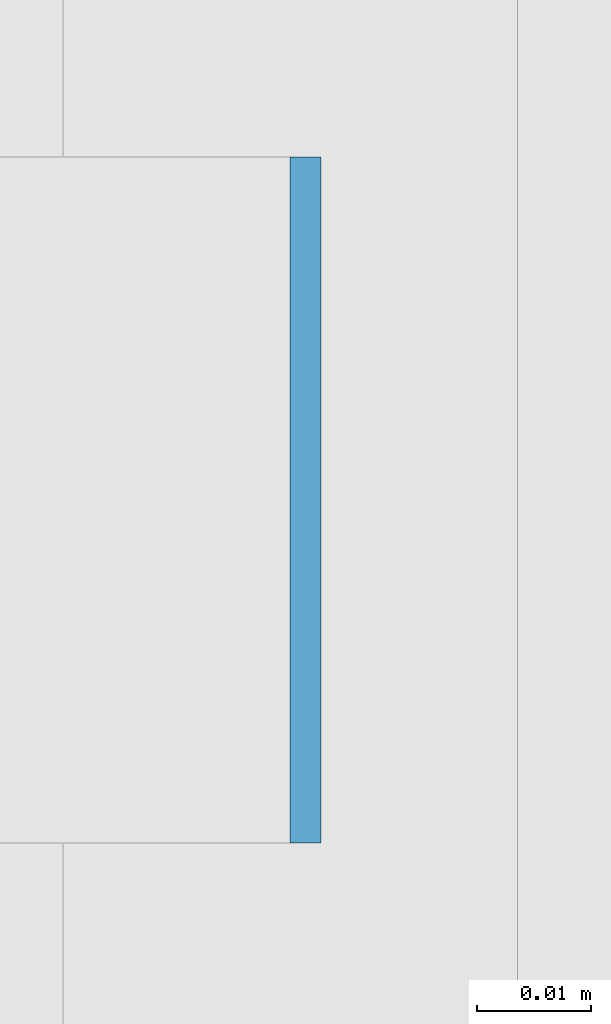
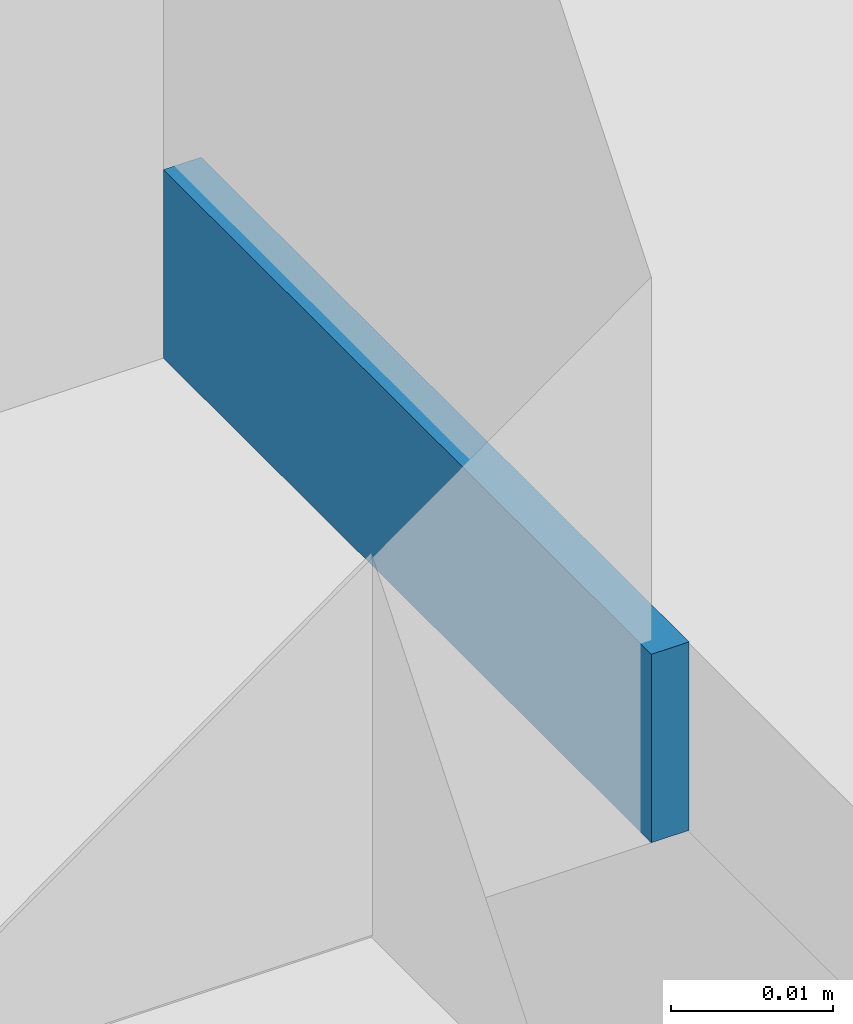
# One storey, part 292 of 646: 1 discrete accessory.
"""IFC4 building model written with IfcOpenShell, lengths in metres."""

from ifc_helpers import new_model, si_unit, direction, frame, origin, origin_2d, place, context, subcontext, project, spatial, rectangle, extrude, material, type_object, element, save


model = new_model("IFC4")

# Units and contexts
model_context = context("Model", 3, precision=1e-05, world=origin(), true_north=direction((0.0, 1.0)))
body_context = subcontext(model_context, "Body", "Model", "MODEL_VIEW")
ifc_project = project(units=[si_unit("LENGTHUNIT", "METRE"), si_unit("AREAUNIT", "SQUARE_METRE"), si_unit("VOLUMEUNIT", "CUBIC_METRE"), si_unit("PLANEANGLEUNIT", "RADIAN"), si_unit("MASSUNIT", "GRAM", prefix="KILO")], contexts=[model_context])

# Site, building, storey
site_placement = place(None, origin())
site = spatial("IfcSite", under=ifc_project, at=site_placement, CompositionType="ELEMENT")
building_placement = place(site_placement, origin())
building = spatial("IfcBuilding", under=site, at=building_placement, Name="Silverbay Arena", CompositionType="ELEMENT")
storey_placement = place(building_placement, frame((0.0, 0.0, 33.5)))
storey = spatial("IfcBuildingStorey", under=building, at=storey_placement, Name="L05", CompositionType="ELEMENT", Elevation=33.5)

# Discrete accessory
ifc_material = material(Name="Steel S355", Category="steel")
discrete_accessory_type = type_object("IfcDiscreteAccessoryType", Name="Steel bracket plate", PredefinedType="BRACKET", material=ifc_material)
discrete_accessory_placement = place(storey_placement, frame((53.871337890625, 57.857177734375, 4.0), z_axis=(0.0, 0.0, 1.0), x_axis=(1.0, 0.0, 0.0)))
element("IfcDiscreteAccessory", 1, at=discrete_accessory_placement, inside=storey, type_object=discrete_accessory_type, Name="Curtain wall packing plate", PredefinedType="BRACKET", context=body_context, shape_type="SweptSolid", body=[
    extrude(rectangle(XDim=0.002685546875, YDim=0.06005859375, at=origin_2d()), origin(), (0.0, 0.0, 1.0), 0.01416015625),
])

save(model, "model.ifc")
